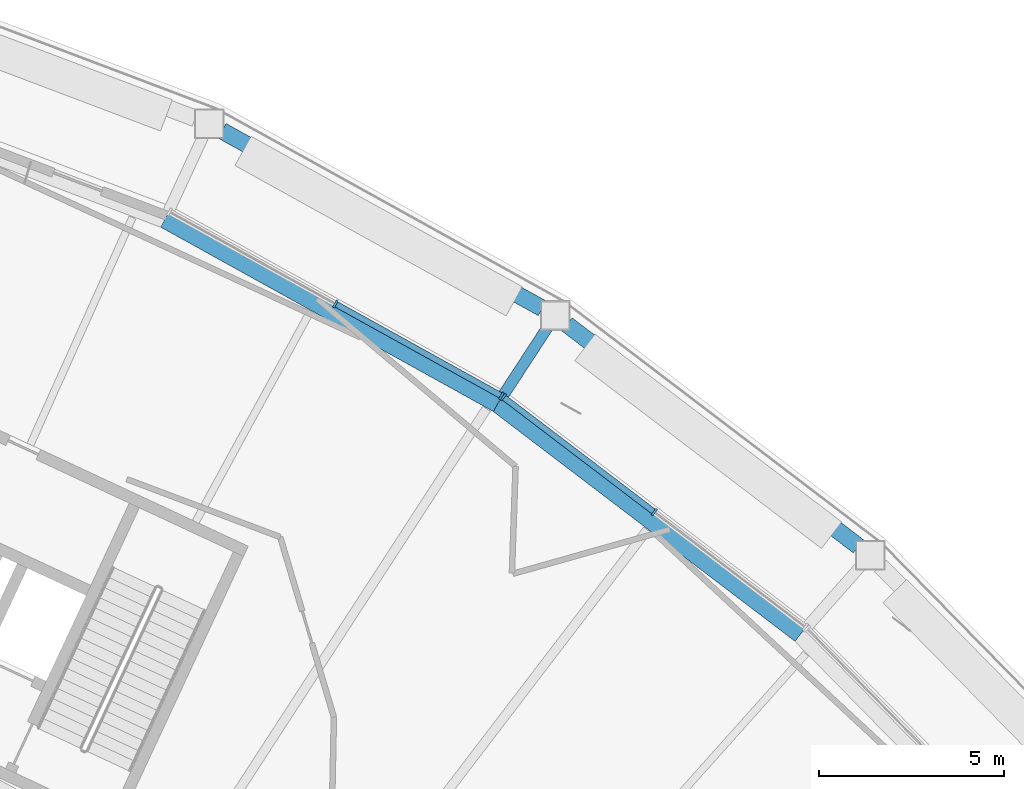
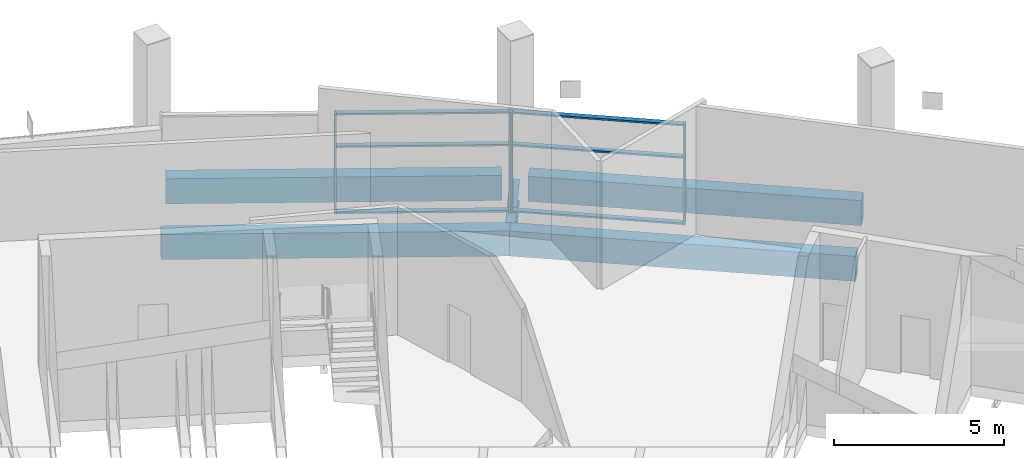
# One storey, part 12 of 29: 10 members, 5 beams, 2 elements without a shape of their own.
"""IFC4 building model written with IfcOpenShell, lengths in metres."""

from ifc_helpers import new_model, si_unit, direction, frame, origin, origin_2d, place, context, subcontext, project, spatial, rectangle, hollow_rectangle, i_section, extrude, material, layer, layer_set, material_profile, profile_set, type_object, element, aggregate, save


model = new_model("IFC4")

# Units and contexts
model_context = context("Model", 3, precision=1e-05, world=origin(), true_north=direction((0.0, 1.0)))
body_context = subcontext(model_context, "Body", "Model", "MODEL_VIEW")
ifc_project = project(units=[si_unit("LENGTHUNIT", "METRE"), si_unit("AREAUNIT", "SQUARE_METRE"), si_unit("VOLUMEUNIT", "CUBIC_METRE"), si_unit("PLANEANGLEUNIT", "RADIAN"), si_unit("MASSUNIT", "GRAM", prefix="KILO")], contexts=[model_context])

# Site, building, storey
site_placement = place(None, origin())
site = spatial("IfcSite", under=ifc_project, at=site_placement, CompositionType="ELEMENT")
building_placement = place(site_placement, origin())
building = spatial("IfcBuilding", under=site, at=building_placement, Name="Tuul Gate Civic Tower", CompositionType="ELEMENT")
storey_placement = place(building_placement, frame((0.0, 0.0, 238.89990234375)))
storey = spatial("IfcBuildingStorey", under=building, at=storey_placement, Name="Sky garden level 2", CompositionType="ELEMENT", Elevation=238.89990234375)

# Curtain wall, members
ifc_material_1 = material(Name="Aluminium", Category="aluminium")
ifc_layer = layer(ifc_material_1, 0.199951171875)
ifc_layer_set = layer_set([ifc_layer], Name="Aluminium")
curtain_wall_type = type_object("IfcCurtainWallType", Name="Curtain wall CW3B", PredefinedType="NOTDEFINED", material=ifc_layer_set)
curtain_wall_1_placement = place(storey_placement, origin())
curtain_wall_1 = element("IfcCurtainWall", 1, at=curtain_wall_1_placement, inside=storey, type_object=curtain_wall_type, Name="Curtain wall CW3B", PredefinedType="NOTDEFINED")
ifc_material_2 = material(Name="Aluminium", Category="aluminium")
ifc_material_profile_1 = material_profile(ifc_material_2, rectangle(XDim=0.219970703125, YDim=0.06005859375, at=origin_2d()), Name="CW3B mullion")
ifc_profile_set_1 = profile_set([ifc_material_profile_1], Name="Aluminium")
member_type_1 = type_object("IfcMemberType", Name="CW3B mullion", PredefinedType="MULLION", material=ifc_profile_set_1)
member_1_placement = place(storey_placement, frame((49.014404296875, 1.239990234375, 0.0), z_axis=(0.0, 0.0, 1.0), x_axis=(-0.605809182627, -0.79560997621, 0.0)))
member_1 = element("IfcMember", 2, at=member_1_placement, type_object=member_type_1, Name="Mullion", PredefinedType="MULLION", context=body_context, shape_type="SweptSolid", body=[
    extrude(rectangle(XDim=0.219970703125, YDim=0.06005859375, at=origin_2d()), origin(), (0.0, 0.0, 1.0), 3.59521484375),
])
member_2_placement = place(storey_placement, frame((44.94091796875, 4.341796875, 0.0), z_axis=(0.0, 0.0, 1.0), x_axis=(-0.605809182627, -0.79560997621, 0.0)))
member_2 = element("IfcMember", 3, at=member_2_placement, type_object=member_type_1, Name="Mullion", PredefinedType="MULLION", context=body_context, shape_type="SweptSolid", body=[
    extrude(rectangle(XDim=0.219970703125, YDim=0.06005859375, at=origin_2d()), origin(), (0.0, 0.0, 1.0), 3.59521484375),
])

curtain_wall_2_placement = place(storey_placement, origin())
curtain_wall_2 = element("IfcCurtainWall", 4, at=curtain_wall_2_placement, inside=storey, type_object=curtain_wall_type, Name="Curtain wall CW3B", PredefinedType="NOTDEFINED")
member_3_placement = place(storey_placement, frame((44.890869140625, 4.37451171875, 0.0), z_axis=(0.0, 0.0, 1.0), x_axis=(-0.484826682646, -0.874610249079, 0.0)))
member_3 = element("IfcMember", 5, at=member_3_placement, type_object=member_type_1, Name="Mullion", PredefinedType="MULLION", context=body_context, shape_type="SweptSolid", body=[
    extrude(rectangle(XDim=0.219970703125, YDim=0.06005859375, at=origin_2d()), origin(), (0.0, 0.0, 1.0), 3.59521484375),
])
member_4_placement = place(storey_placement, frame((40.41259765625, 6.85693359375, 0.0), z_axis=(0.0, 0.0, 1.0), x_axis=(-0.484826682646, -0.874610249079, 0.0)))
member_4 = element("IfcMember", 6, at=member_4_placement, type_object=member_type_1, Name="Mullion", PredefinedType="MULLION", context=body_context, shape_type="SweptSolid", body=[
    extrude(rectangle(XDim=0.219970703125, YDim=0.06005859375, at=origin_2d()), origin(), (0.0, 0.0, 1.0), 3.59521484375),
])

# Member
ifc_material_3 = material(Name="Aluminium", Category="aluminium")
ifc_material_profile_2 = material_profile(ifc_material_3, rectangle(XDim=0.159912109375, YDim=0.06005859375, at=origin_2d()), Name="CW3B transom")
ifc_profile_set_2 = profile_set([ifc_material_profile_2], Name="Aluminium")
member_type_2 = type_object("IfcMemberType", Name="CW3B transom", PredefinedType="USERDEFINED", material=ifc_profile_set_2)
member_5_placement = place(storey_placement, frame((48.99072265625, 1.258056640625, 0.030029296875), z_axis=(-0.795590069809, 0.605835324838, 0.0), x_axis=(-0.605835324838, -0.795590069809, 0.0)))
member_5 = element("IfcMember", 7, at=member_5_placement, type_object=member_type_2, Name="Transom", ObjectType="TRANSOM", PredefinedType="USERDEFINED", context=body_context, shape_type="SweptSolid", body=[
    extrude(rectangle(XDim=0.159912109375, YDim=0.06005859375, at=origin_2d()), origin(), (0.0, 0.0, 1.0), 5.060302734375),
])

member_6_placement = place(storey_placement, frame((48.99072265625, 1.258056640625, 2.400146484375), z_axis=(-0.795590069809, 0.605835324838, 0.0), x_axis=(-0.605835324838, -0.795590069809, 0.0)))
member_6 = element("IfcMember", 8, at=member_6_placement, type_object=member_type_2, Name="Transom", ObjectType="TRANSOM", PredefinedType="USERDEFINED", context=body_context, shape_type="SweptSolid", body=[
    extrude(rectangle(XDim=0.159912109375, YDim=0.06005859375, at=origin_2d()), origin(), (0.0, 0.0, 1.0), 5.060302734375),
])

member_7_placement = place(storey_placement, frame((48.99072265625, 1.258056640625, 3.565185546875), z_axis=(-0.795590069809, 0.605835324838, 0.0), x_axis=(-0.605835324838, -0.795590069809, 0.0)))
member_7 = element("IfcMember", 9, at=member_7_placement, type_object=member_type_2, Name="Transom", ObjectType="TRANSOM", PredefinedType="USERDEFINED", context=body_context, shape_type="SweptSolid", body=[
    extrude(rectangle(XDim=0.159912109375, YDim=0.06005859375, at=origin_2d()), origin(), (0.0, 0.0, 1.0), 5.060302734375),
])

aggregate(curtain_wall_1, [member_1, member_2, member_5, member_6, member_7])

member_8_placement = place(storey_placement, frame((44.864501953125, 4.38916015625, 0.030029296875), z_axis=(-0.874609774473, 0.484827538817, 0.0), x_axis=(-0.484827538817, -0.874609774473, 0.0)))
member_8 = element("IfcMember", 10, at=member_8_placement, type_object=member_type_2, Name="Transom", ObjectType="TRANSOM", PredefinedType="USERDEFINED", context=body_context, shape_type="SweptSolid", body=[
    extrude(rectangle(XDim=0.159912109375, YDim=0.06005859375, at=origin_2d()), origin(), (0.0, 0.0, 1.0), 5.060302734375),
])

member_9_placement = place(storey_placement, frame((44.864501953125, 4.38916015625, 2.400146484375), z_axis=(-0.874609774473, 0.484827538817, 0.0), x_axis=(-0.484827538817, -0.874609774473, 0.0)))
member_9 = element("IfcMember", 11, at=member_9_placement, type_object=member_type_2, Name="Transom", ObjectType="TRANSOM", PredefinedType="USERDEFINED", context=body_context, shape_type="SweptSolid", body=[
    extrude(rectangle(XDim=0.159912109375, YDim=0.06005859375, at=origin_2d()), origin(), (0.0, 0.0, 1.0), 5.060302734375),
])

member_10_placement = place(storey_placement, frame((44.864501953125, 4.38916015625, 3.565185546875), z_axis=(-0.874609774473, 0.484827538817, 0.0), x_axis=(-0.484827538817, -0.874609774473, 0.0)))
member_10 = element("IfcMember", 12, at=member_10_placement, type_object=member_type_2, Name="Transom", ObjectType="TRANSOM", PredefinedType="USERDEFINED", context=body_context, shape_type="SweptSolid", body=[
    extrude(rectangle(XDim=0.159912109375, YDim=0.06005859375, at=origin_2d()), origin(), (0.0, 0.0, 1.0), 5.060302734375),
])

aggregate(curtain_wall_2, [member_3, member_4, member_8, member_9, member_10])

# Beams
ifc_material_4 = material(Name="Steel S355", Category="steel")
ifc_material_profile_3 = material_profile(ifc_material_4, i_section(OverallWidth=0.300048828125, OverallDepth=0.800048828125, WebThickness=0.013916015625, FlangeThickness=0.02490234375, at=origin_2d()), Name="PG800x300x14x25")
ifc_profile_set_3 = profile_set([ifc_material_profile_3], Name="Steel S355")
beam_type_1 = type_object("IfcBeamType", Name="STR-FLOOR BEAM-PG800x300x14x25", PredefinedType="BEAM", material=ifc_profile_set_3)
beam_1_placement = place(storey_placement, frame((46.123291015625, 6.2080078125, -0.7998046875), z_axis=(-0.546663575069, -0.837352336649, 0.0), x_axis=(0.837352336649, -0.546663575069, 0.0)))
element("IfcBeam", 13, at=beam_1_placement, inside=storey, type_object=beam_type_1, Name="Terrace beam", PredefinedType="BEAM", context=body_context, shape_type="SweptSolid", body=[
    extrude(i_section(OverallWidth=0.300048828125, OverallDepth=0.800048828125, WebThickness=0.013916015625, FlangeThickness=0.02490234375, at=origin_2d()), origin(), (0.0, 0.0, 1.0), 2.257568359375),
])
ifc_material_5 = material(Name="Steel S355", Category="steel")
ifc_material_profile_4 = material_profile(ifc_material_5, hollow_rectangle(XDim=0.449951171875, YDim=0.89990234375, WallThickness=0.02490234375, at=origin_2d()), Name="BOX900x450x25")
ifc_profile_set_4 = profile_set([ifc_material_profile_4], Name="Steel S355")
beam_type_2 = type_object("IfcBeamType", Name="STR-SPANDREL BEAM-BOX900x450x25", PredefinedType="BEAM", material=ifc_profile_set_4)
beam_2_placement = place(storey_placement, frame((35.802490234375, 9.126220703125, -0.849853515625), z_axis=(0.874624731101, -0.484800556669, 0.0), x_axis=(0.484800556669, 0.874624731101, 0.0)))
element("IfcBeam", 14, at=beam_2_placement, inside=storey, type_object=beam_type_2, Name="Spandrel beam", PredefinedType="BEAM", context=body_context, shape_type="SweptSolid", body=[
    extrude(hollow_rectangle(XDim=0.449951171875, YDim=0.89990234375, WallThickness=0.02490234375, at=origin_2d()), origin(), (0.0, 0.0, 1.0), 10.26416015625),
])
beam_3_placement = place(storey_placement, frame((44.77978515625, 4.150146484375, -0.849853515625), z_axis=(0.795643521379, -0.605765125183, 0.0), x_axis=(0.605765125183, 0.795643521379, 0.0)))
element("IfcBeam", 15, at=beam_3_placement, inside=storey, type_object=beam_type_2, Name="Spandrel beam", PredefinedType="BEAM", context=body_context, shape_type="SweptSolid", body=[
    extrude(hollow_rectangle(XDim=0.449951171875, YDim=0.89990234375, WallThickness=0.02490234375, at=origin_2d()), origin(), (0.0, 0.0, 1.0), 10.264404296875),
])
beam_4_placement = place(storey_placement, frame((54.518798828125, 0.3173828125, -0.849853515625), z_axis=(-0.795633671898, 0.605778061787, 0.0), x_axis=(-0.605778061787, -0.795633671898, 0.0)))
element("IfcBeam", 16, at=beam_4_placement, inside=storey, type_object=beam_type_2, Name="Terrace edge beam", PredefinedType="BEAM", context=body_context, shape_type="SweptSolid", body=[
    extrude(hollow_rectangle(XDim=0.449951171875, YDim=0.89990234375, WallThickness=0.02490234375, at=origin_2d()), origin(), (0.0, 0.0, 1.0), 9.877197265625),
])
beam_5_placement = place(storey_placement, frame((45.9921875, 6.73681640625, -0.849853515625), z_axis=(-0.874644171527, 0.484765482696, 0.0), x_axis=(-0.484765482696, -0.874644171527, 0.0)))
element("IfcBeam", 17, at=beam_5_placement, inside=storey, type_object=beam_type_2, Name="Terrace edge beam", PredefinedType="BEAM", context=body_context, shape_type="SweptSolid", body=[
    extrude(hollow_rectangle(XDim=0.449951171875, YDim=0.89990234375, WallThickness=0.02490234375, at=origin_2d()), origin(), (0.0, 0.0, 1.0), 9.877685546875),
])

save(model, "model.ifc")
